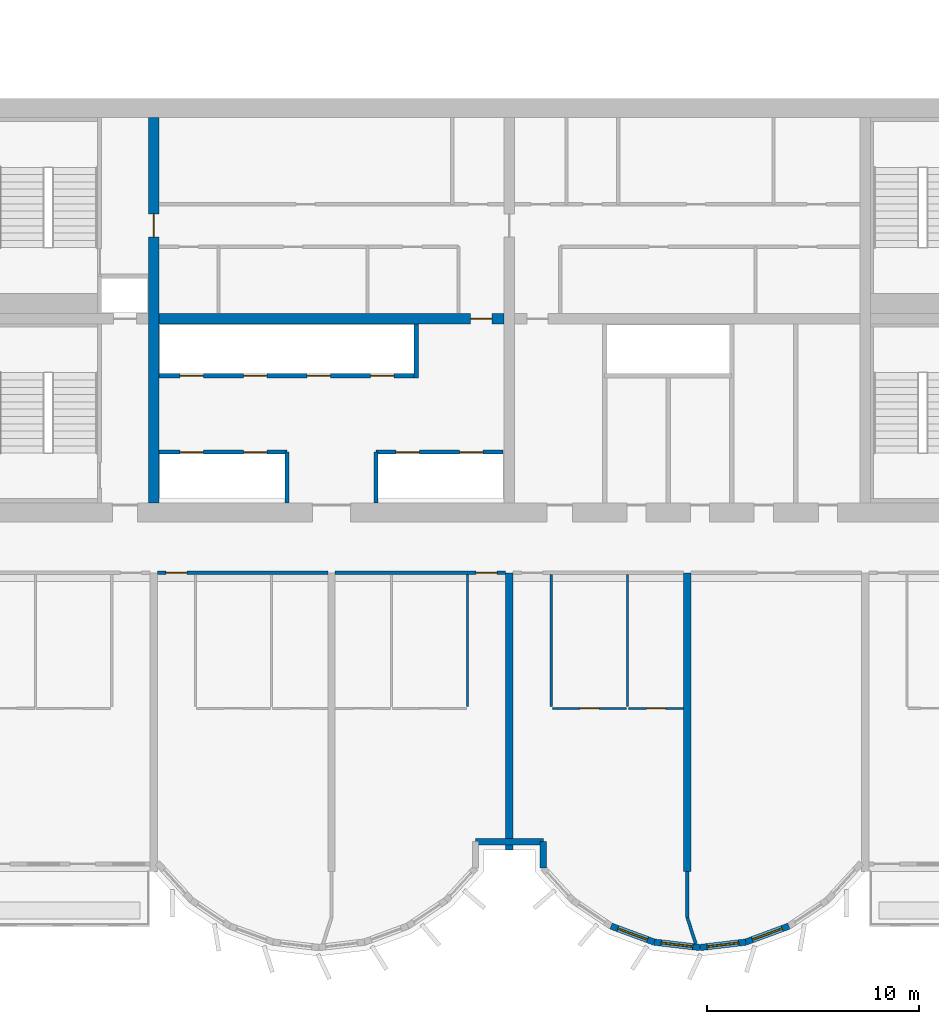
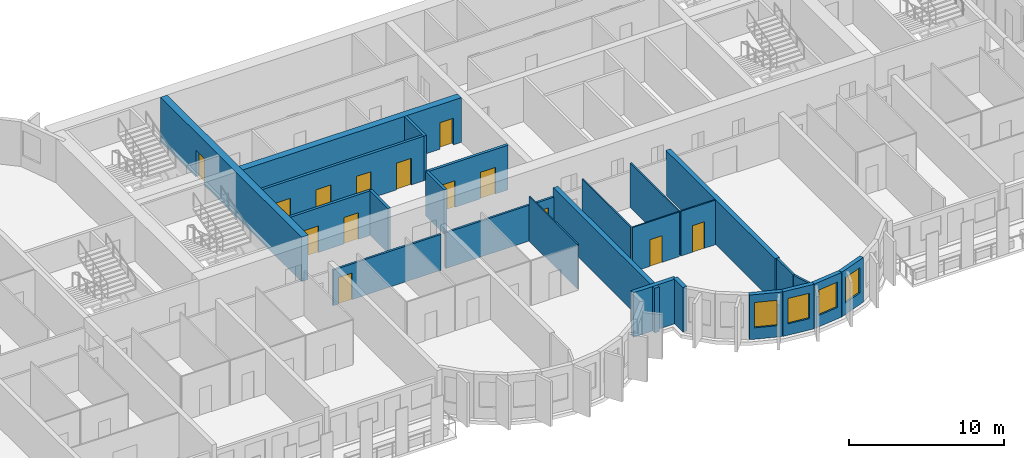
# One storey, part 5 of 14: 25 walls, 14 doors, 4 windows, 18 openings.
"""IFC4 building model written with IfcOpenShell, lengths in metres."""

from ifc_helpers import new_model, si_unit, direction, frame, frame_2d, origin, place, context, subcontext, project, spatial, rectangle, extrude, source, transform, mapped, material, layer, layer_set, type_object, element, fill, save


model = new_model("IFC4")

# Units and contexts
model_context = context("Model", 3, precision=1e-05, world=origin(), true_north=direction((0.0, 1.0)))
body_context = subcontext(model_context, "Body", "Model", "MODEL_VIEW")
ifc_project = project(units=[si_unit("LENGTHUNIT", "METRE"), si_unit("AREAUNIT", "SQUARE_METRE"), si_unit("VOLUMEUNIT", "CUBIC_METRE"), si_unit("PLANEANGLEUNIT", "RADIAN"), si_unit("MASSUNIT", "GRAM", prefix="KILO")], contexts=[model_context])

# Site, building, storey
site_placement = place(None, origin())
site = spatial("IfcSite", under=ifc_project, at=site_placement, CompositionType="ELEMENT")
building_placement = place(site_placement, origin())
building = spatial("IfcBuilding", under=site, at=building_placement, Name="Vanashikhar Sky Hotel", CompositionType="ELEMENT")
storey_placement = place(building_placement, frame((0.0, 0.0, 114.199951171875)))
storey = spatial("IfcBuildingStorey", under=building, at=storey_placement, Name="L27", CompositionType="ELEMENT", Elevation=114.199951171875)

# Wall, opening, door
ifc_material_1 = material(Name="Concrete M70", Category="concrete")
ifc_layer_1 = layer(ifc_material_1, 0.5)
ifc_layer_set_1 = layer_set([ifc_layer_1], Name="RC core inner wall 500 Concrete M70")
wall_type_1 = type_object("IfcWallType", Name="RC core inner wall 500 Concrete M70", PredefinedType="SHEAR", material=ifc_layer_set_1)
shared_shape_1 = source(origin(), body_context, "Body", "SweptSolid", [
    extrude(rectangle(XDim=18.2001953125, YDim=0.5, at=frame_2d((9.10009765625, 0.0))), origin(), (0.0, 0.0, 1.0), 3.52001953125),
])
wall_1_placement = place(storey_placement, frame((33.60009765625, 22.89990234375, 0.0), z_axis=(0.0, 0.0, 1.0), x_axis=(0.0, 1.0, 0.0)))
wall_1 = element("IfcWall", 1, at=wall_1_placement, inside=storey, type_object=wall_type_1, Name="KW-L27-KX1", PredefinedType="SHEAR", context=body_context, shape_type="MappedRepresentation", body=[
    mapped(shared_shape_1, transform((0.0, 0.0, 0.0), scale=1.0)),
])
shared_shape_2 = source(origin(), body_context, "Body", "SweptSolid", [
    extrude(rectangle(XDim=1.10009765625, YDim=2.10009765625, at=frame_2d((0.550048828125, 1.050048828125))), frame((0.0, 0.260009765625, 0.0), z_axis=(0.0, -1.0, 0.0), x_axis=(1.0, 0.0, 0.0)), (0.0, 0.0, 1.0), 0.52001953125),
])
opening_1_placement = place(wall_1_placement, frame((12.550048828125, 0.0, 0.0)))
opening_1 = element("IfcOpeningElement", 2, at=opening_1_placement, cuts=wall_1, Name="Opening DC-4-C", PredefinedType="OPENING", context=body_context, shape_type="MappedRepresentation", body=[
    mapped(shared_shape_2, transform((0.0, 0.0, 0.0), scale=1.0)),
])
ifc_material_2 = material(Name="Steel", Category="steel")
door_type_1 = type_object("IfcDoorType", Name="Service door 1100 FD60", OperationType="NOTDEFINED", PredefinedType="DOOR", material=ifc_material_2)
shared_shape_3 = source(origin(), body_context, "Body", "SweptSolid", [
    extrude(rectangle(XDim=1.10009765625, YDim=2.10009765625, at=frame_2d((0.550048828125, 1.050048828125))), frame((0.0, 0.02490234375, 0.0), z_axis=(0.0, -1.0, 0.0), x_axis=(1.0, 0.0, 0.0)), (0.0, 0.0, 1.0), 0.050048828125),
])
door_1_placement = place(opening_1_placement, origin())
door_1 = element("IfcDoor", 3, at=door_1_placement, inside=storey, type_object=door_type_1, Name="Service door 1100 FD60", OperationType="SINGLE_SWING_LEFT", OverallHeight=2.10009765625, OverallWidth=1.10009765625, PredefinedType="DOOR", context=body_context, shape_type="MappedRepresentation", body=[
    mapped(shared_shape_3, transform((0.0, 0.0, 0.0), scale=1.0)),
])
fill(opening_1, door_1)

shared_shape_4 = source(origin(), body_context, "Body", "SweptSolid", [
    extrude(rectangle(XDim=16.2998046875, YDim=0.5, at=frame_2d((8.14990234375, 0.0))), origin(), (0.0, 0.0, 1.0), 3.52001953125),
])
wall_2_placement = place(storey_placement, frame((33.85009765625, 31.60009765625, 0.0), z_axis=(0.0, 0.0, 1.0), x_axis=(1.0, 0.0, 0.0)))
wall_2 = element("IfcWall", 4, at=wall_2_placement, inside=storey, type_object=wall_type_1, Name="KW-L27-KY2", PredefinedType="SHEAR", context=body_context, shape_type="MappedRepresentation", body=[
    mapped(shared_shape_4, transform((0.0, 0.0, 0.0), scale=1.0)),
])
shared_shape_5 = source(origin(), body_context, "Body", "SweptSolid", [
    extrude(rectangle(XDim=1.0, YDim=2.10009765625, at=frame_2d((0.5, 1.050048828125))), frame((0.0, 0.260009765625, 0.0), z_axis=(0.0, -1.0, 0.0), x_axis=(1.0, 0.0, 0.0)), (0.0, 0.0, 1.0), 0.52001953125),
])
opening_2_placement = place(wall_2_placement, frame((14.72509765625, 0.0, 0.0)))
opening_2 = element("IfcOpeningElement", 5, at=opening_2_placement, cuts=wall_2, Name="Opening DC-4", PredefinedType="OPENING", context=body_context, shape_type="MappedRepresentation", body=[
    mapped(shared_shape_5, transform((0.0, 0.0, 0.0), scale=1.0)),
])
door_type_2 = type_object("IfcDoorType", Name="Service door 1000 FD60", OperationType="NOTDEFINED", PredefinedType="DOOR", material=ifc_material_2)
shared_shape_6 = source(origin(), body_context, "Body", "SweptSolid", [
    extrude(rectangle(XDim=1.0, YDim=2.10009765625, at=frame_2d((0.5, 1.050048828125))), frame((0.0, 0.02490234375, 0.0), z_axis=(0.0, -1.0, 0.0), x_axis=(1.0, 0.0, 0.0)), (0.0, 0.0, 1.0), 0.050048828125),
])
door_2_placement = place(opening_2_placement, origin())
door_2 = element("IfcDoor", 6, at=door_2_placement, inside=storey, type_object=door_type_2, Name="Service door 1000 FD60", OperationType="SINGLE_SWING_LEFT", OverallHeight=2.10009765625, OverallWidth=1.0, PredefinedType="DOOR", context=body_context, shape_type="MappedRepresentation", body=[
    mapped(shared_shape_6, transform((0.0, 0.0, 0.0), scale=1.0)),
])
fill(opening_2, door_2)

# Walls
ifc_layer_2 = layer(ifc_material_1, 0.35009765625)
ifc_layer_set_2 = layer_set([ifc_layer_2], Name="RC shear wall 350 Concrete M70")
wall_type_2 = type_object("IfcWallType", Name="RC shear wall 350 Concrete M70", PredefinedType="SHEAR", material=ifc_layer_set_2)
shared_shape_7 = source(origin(), body_context, "Body", "SweptSolid", [
    extrude(rectangle(XDim=14.10009765625, YDim=0.35009765625, at=frame_2d((7.050048828125, 0.0))), origin(), (0.0, 0.0, 1.0), 3.52001953125),
])
wall_3_placement = place(storey_placement, frame((58.800048828125, 5.5, 0.0), z_axis=(0.0, 0.0, 1.0), x_axis=(0.0, 1.0, 0.0)))
element("IfcWall", 7, at=wall_3_placement, inside=storey, type_object=wall_type_2, Name="CW-L27-XW08-1", PredefinedType="SHEAR", context=body_context, shape_type="MappedRepresentation", body=[
    mapped(shared_shape_7, transform((0.0, 0.0, 0.0), scale=1.0)),
])
shared_shape_8 = source(origin(), body_context, "Body", "SweptSolid", [
    extrude(rectangle(XDim=13.10009765625, YDim=0.35009765625, at=frame_2d((6.550048828125, 0.0))), origin(), (0.0, 0.0, 1.0), 3.52001953125),
])
wall_4_placement = place(storey_placement, frame((50.39990234375, 6.5, 0.0), z_axis=(0.0, 0.0, 1.0), x_axis=(0.0, 1.0, 0.0)))
element("IfcWall", 8, at=wall_4_placement, inside=storey, type_object=wall_type_2, Name="CW-L27-XW07-1", PredefinedType="SHEAR", context=body_context, shape_type="MappedRepresentation", body=[
    mapped(shared_shape_8, transform((0.0, 0.0, 0.0), scale=1.0)),
])

# Wall, opening, window
ifc_material_3 = material(Name="Concrete M50", Category="concrete")
ifc_layer_3 = layer(ifc_material_3, 0.300048828125)
ifc_layer_set_3 = layer_set([ifc_layer_3], Name="Lobe wall 300")
wall_type_3 = type_object("IfcWallType", Name="Lobe wall 300", PredefinedType="SOLIDWALL", material=ifc_layer_set_3)
shared_shape_9 = source(origin(), body_context, "Body", "SweptSolid", [
    extrude(rectangle(XDim=2.17578125, YDim=0.300048828125, at=frame_2d((1.087890625, 0.0))), origin(), (0.0, 0.0, 1.0), 3.52001953125),
])
wall_5_placement = place(storey_placement, frame((55.20068359375, 2.91650390625, 0.0), z_axis=(0.0, 0.0, 1.0), x_axis=(0.93754555999, -0.347862505801, 0.0)))
wall_5 = element("IfcWall", 9, at=wall_5_placement, inside=storey, type_object=wall_type_3, Name="Lobe wall", PredefinedType="SOLIDWALL", context=body_context, shape_type="MappedRepresentation", body=[
    mapped(shared_shape_9, transform((0.0, 0.0, 0.0), scale=1.0)),
])
shared_shape_10 = source(origin(), body_context, "Body", "SweptSolid", [
    extrude(rectangle(XDim=1.5, YDim=2.0, at=frame_2d((0.75, 1.0))), frame((0.0, 0.16015625, 0.0), z_axis=(0.0, -1.0, 0.0), x_axis=(1.0, 0.0, 0.0)), (0.0, 0.0, 1.0), 0.320068359375),
])
opening_3_placement = place(wall_5_placement, frame((0.337890625, 0.0, 0.89990234375)))
opening_3 = element("IfcOpeningElement", 10, at=opening_3_placement, cuts=wall_5, Name="Opening WN-2", PredefinedType="OPENING", context=body_context, shape_type="MappedRepresentation", body=[
    mapped(shared_shape_10, transform((0.0, 0.0, 0.0), scale=1.0)),
])
ifc_material_4 = material(Name="Glass", Category="glass")
window_type = type_object("IfcWindowType", Name="Lobe window 1500 x 2000", PartitioningType="SINGLE_PANEL", PredefinedType="WINDOW", material=ifc_material_4)
shared_shape_11 = source(origin(), body_context, "Body", "SweptSolid", [
    extrude(rectangle(XDim=1.5, YDim=2.0, at=frame_2d((0.75, 1.0))), frame((0.0, 0.030029296875, 0.0), z_axis=(0.0, -1.0, 0.0), x_axis=(1.0, 0.0, 0.0)), (0.0, 0.0, 1.0), 0.06005859375),
])
window_1_placement = place(opening_3_placement, origin())
window_1 = element("IfcWindow", 11, at=window_1_placement, inside=storey, type_object=window_type, Name="Window WN-2", OverallHeight=2.0, OverallWidth=1.5, PartitioningType="SINGLE_PANEL", PredefinedType="WINDOW", context=body_context, shape_type="MappedRepresentation", body=[
    mapped(shared_shape_11, transform((0.0, 0.0, 0.0), scale=1.0)),
])
fill(opening_3, window_1)

shared_shape_12 = source(origin(), body_context, "Body", "SweptSolid", [
    extrude(rectangle(XDim=2.174560546875, YDim=0.300048828125, at=frame_2d((1.08740234375, 0.0))), origin(), (0.0, 0.0, 1.0), 3.52001953125),
])
wall_6_placement = place(storey_placement, frame((57.240478515625, 2.15966796875, 0.0), z_axis=(0.0, 0.0, 1.0), x_axis=(0.993001132889, -0.118104826659, 0.0)))
wall_6 = element("IfcWall", 12, at=wall_6_placement, inside=storey, type_object=wall_type_3, Name="Lobe wall", PredefinedType="SOLIDWALL", context=body_context, shape_type="MappedRepresentation", body=[
    mapped(shared_shape_12, transform((0.0, 0.0, 0.0), scale=1.0)),
])
opening_4_placement = place(wall_6_placement, frame((0.33740234375, 0.0, 0.89990234375)))
opening_4 = element("IfcOpeningElement", 13, at=opening_4_placement, cuts=wall_6, Name="Opening WN-2", PredefinedType="OPENING", context=body_context, shape_type="MappedRepresentation", body=[
    mapped(shared_shape_10, transform((0.0, 0.0, 0.0), scale=1.0)),
])
window_2_placement = place(opening_4_placement, origin())
window_2 = element("IfcWindow", 14, at=window_2_placement, inside=storey, type_object=window_type, Name="Window WN-2", OverallHeight=2.0, OverallWidth=1.5, PartitioningType="SINGLE_PANEL", PredefinedType="WINDOW", context=body_context, shape_type="MappedRepresentation", body=[
    mapped(shared_shape_11, transform((0.0, 0.0, 0.0), scale=1.0)),
])
fill(opening_4, window_2)

shared_shape_13 = source(origin(), body_context, "Body", "SweptSolid", [
    extrude(rectangle(XDim=2.1748046875, YDim=0.300048828125, at=frame_2d((1.08740234375, 0.0))), origin(), (0.0, 0.0, 1.0), 3.52001953125),
])
wall_7_placement = place(storey_placement, frame((59.39990234375, 1.90283203125, 0.0), z_axis=(0.0, 0.0, 1.0), x_axis=(0.993002698611, 0.118091661648, 0.0)))
wall_7 = element("IfcWall", 15, at=wall_7_placement, inside=storey, type_object=wall_type_3, Name="Lobe wall", PredefinedType="SOLIDWALL", context=body_context, shape_type="MappedRepresentation", body=[
    mapped(shared_shape_13, transform((0.0, 0.0, 0.0), scale=1.0)),
])
opening_5_placement = place(wall_7_placement, frame((0.33740234375, 0.0, 0.89990234375)))
opening_5 = element("IfcOpeningElement", 16, at=opening_5_placement, cuts=wall_7, Name="Opening WN-2", PredefinedType="OPENING", context=body_context, shape_type="MappedRepresentation", body=[
    mapped(shared_shape_10, transform((0.0, 0.0, 0.0), scale=1.0)),
])
window_3_placement = place(opening_5_placement, origin())
window_3 = element("IfcWindow", 17, at=window_3_placement, inside=storey, type_object=window_type, Name="Window WN-2", OverallHeight=2.0, OverallWidth=1.5, PartitioningType="SINGLE_PANEL", PredefinedType="WINDOW", context=body_context, shape_type="MappedRepresentation", body=[
    mapped(shared_shape_11, transform((0.0, 0.0, 0.0), scale=1.0)),
])
fill(opening_5, window_3)

shared_shape_14 = source(origin(), body_context, "Body", "SweptSolid", [
    extrude(rectangle(XDim=2.175537109375, YDim=0.300048828125, at=frame_2d((1.087890625, 0.0))), origin(), (0.0, 0.0, 1.0), 3.52001953125),
])
wall_8_placement = place(storey_placement, frame((61.5595703125, 2.15966796875, 0.0), z_axis=(0.0, 0.0, 1.0), x_axis=(0.937531979054, 0.347899106424, 0.0)))
wall_8 = element("IfcWall", 18, at=wall_8_placement, inside=storey, type_object=wall_type_3, Name="Lobe wall", PredefinedType="SOLIDWALL", context=body_context, shape_type="MappedRepresentation", body=[
    mapped(shared_shape_14, transform((0.0, 0.0, 0.0), scale=1.0)),
])
opening_6_placement = place(wall_8_placement, frame((0.337890625, 0.0, 0.89990234375)))
opening_6 = element("IfcOpeningElement", 19, at=opening_6_placement, cuts=wall_8, Name="Opening WN-2", PredefinedType="OPENING", context=body_context, shape_type="MappedRepresentation", body=[
    mapped(shared_shape_10, transform((0.0, 0.0, 0.0), scale=1.0)),
])
window_4_placement = place(opening_6_placement, origin())
window_4 = element("IfcWindow", 20, at=window_4_placement, inside=storey, type_object=window_type, Name="Window WN-2", OverallHeight=2.0, OverallWidth=1.5, PartitioningType="SINGLE_PANEL", PredefinedType="WINDOW", context=body_context, shape_type="MappedRepresentation", body=[
    mapped(shared_shape_11, transform((0.0, 0.0, 0.0), scale=1.0)),
])
fill(opening_6, window_4)

# Walls
shared_shape_15 = source(origin(), body_context, "Body", "SweptSolid", [
    extrude(rectangle(XDim=1.244384765625, YDim=0.300048828125, at=frame_2d((0.6220703125, 0.0))), origin(), (0.0, 0.0, 1.0), 3.52001953125),
])
wall_9_placement = place(storey_placement, frame((52.0, 6.89990234375, 0.0), z_axis=(0.0, 0.0, 1.0), x_axis=(0.0, -1.0, 0.0)))
element("IfcWall", 21, at=wall_9_placement, inside=storey, type_object=wall_type_3, Name="Groove wall", PredefinedType="SOLIDWALL", context=body_context, shape_type="MappedRepresentation", body=[
    mapped(shared_shape_15, transform((0.0, 0.0, 0.0), scale=1.0)),
])
shared_shape_16 = source(origin(), body_context, "Body", "SweptSolid", [
    extrude(rectangle(XDim=3.199951171875, YDim=0.300048828125, at=frame_2d((1.60009765625, 0.0))), origin(), (0.0, 0.0, 1.0), 3.52001953125),
])
wall_10_placement = place(storey_placement, frame((48.800048828125, 6.89990234375, 0.0), z_axis=(0.0, 0.0, 1.0), x_axis=(1.0, 0.0, 0.0)))
element("IfcWall", 22, at=wall_10_placement, inside=storey, type_object=wall_type_3, Name="Groove wall", PredefinedType="SOLIDWALL", context=body_context, shape_type="MappedRepresentation", body=[
    mapped(shared_shape_16, transform((0.0, 0.0, 0.0), scale=1.0)),
])

# Wall, openings, doors
ifc_material_5 = material(Name="Concrete M40", Category="concrete")
ifc_layer_4 = layer(ifc_material_5, 0.199951171875)
ifc_layer_set_4 = layer_set([ifc_layer_4], Name="Shaft wall 200")
wall_type_4 = type_object("IfcWallType", Name="Shaft wall 200", PredefinedType="SOLIDWALL", material=ifc_layer_set_4)
shared_shape_17 = source(origin(), body_context, "Body", "SweptSolid", [
    extrude(rectangle(XDim=6.0, YDim=0.199951171875, at=frame_2d((3.0, 0.0))), origin(), (0.0, 0.0, 1.0), 3.52001953125),
])
wall_11_placement = place(storey_placement, frame((44.10009765625, 25.300048828125, 0.0), z_axis=(0.0, 0.0, 1.0), x_axis=(1.0, 0.0, 0.0)))
wall_11 = element("IfcWall", 23, at=wall_11_placement, inside=storey, type_object=wall_type_4, Name="Shaft wall 200", PredefinedType="SOLIDWALL", context=body_context, shape_type="MappedRepresentation", body=[
    mapped(shared_shape_17, transform((0.0, 0.0, 0.0), scale=1.0)),
])
shared_shape_18 = source(origin(), body_context, "Body", "SweptSolid", [
    extrude(rectangle(XDim=1.10009765625, YDim=2.10009765625, at=frame_2d((0.550048828125, 1.050048828125))), frame((0.0, 0.10986328125, 0.0), z_axis=(0.0, -1.0, 0.0), x_axis=(1.0, 0.0, 0.0)), (0.0, 0.0, 1.0), 0.219970703125),
])
opening_7_placement = place(wall_11_placement, frame((0.949951171875, 0.0, 0.0)))
opening_7 = element("IfcOpeningElement", 24, at=opening_7_placement, cuts=wall_11, Name="Opening LD", PredefinedType="OPENING", context=body_context, shape_type="MappedRepresentation", body=[
    mapped(shared_shape_18, transform((0.0, 0.0, 0.0), scale=1.0)),
])
opening_8_placement = place(wall_11_placement, frame((3.949951171875, 0.0, 0.0)))
opening_8 = element("IfcOpeningElement", 25, at=opening_8_placement, cuts=wall_11, Name="Opening LD", PredefinedType="OPENING", context=body_context, shape_type="MappedRepresentation", body=[
    mapped(shared_shape_18, transform((0.0, 0.0, 0.0), scale=1.0)),
])
ifc_material_6 = material(Name="Stainless steel", Category="steel")
door_type_3 = type_object("IfcDoorType", Name="Lift landing door 1100", OperationType="NOTDEFINED", PredefinedType="DOOR", material=ifc_material_6)
door_3_placement = place(opening_7_placement, origin())
door_3 = element("IfcDoor", 26, at=door_3_placement, inside=storey, type_object=door_type_3, Name="Lift landing door 1100", OperationType="SLIDING_TO_LEFT", OverallHeight=2.10009765625, OverallWidth=1.10009765625, PredefinedType="DOOR", context=body_context, shape_type="MappedRepresentation", body=[
    mapped(shared_shape_3, transform((0.0, 0.0, 0.0), scale=1.0)),
])
fill(opening_7, door_3)
door_4_placement = place(opening_8_placement, origin())
door_4 = element("IfcDoor", 27, at=door_4_placement, inside=storey, type_object=door_type_3, Name="Lift landing door 1100", OperationType="SLIDING_TO_RIGHT", OverallHeight=2.10009765625, OverallWidth=1.10009765625, PredefinedType="DOOR", context=body_context, shape_type="MappedRepresentation", body=[
    mapped(shared_shape_3, transform((0.0, 0.0, 0.0), scale=1.0)),
])
fill(opening_8, door_4)

shared_shape_19 = source(origin(), body_context, "Body", "SweptSolid", [
    extrude(rectangle(XDim=6.0498046875, YDim=0.199951171875, at=frame_2d((3.02490234375, 0.0))), origin(), (0.0, 0.0, 1.0), 3.52001953125),
])
wall_12_placement = place(storey_placement, frame((33.85009765625, 25.300048828125, 0.0), z_axis=(0.0, 0.0, 1.0), x_axis=(1.0, 0.0, 0.0)))
wall_12 = element("IfcWall", 28, at=wall_12_placement, inside=storey, type_object=wall_type_4, Name="Shaft wall 200", PredefinedType="SOLIDWALL", context=body_context, shape_type="MappedRepresentation", body=[
    mapped(shared_shape_19, transform((0.0, 0.0, 0.0), scale=1.0)),
])
opening_9_placement = place(wall_12_placement, frame((1.0, 0.0, 0.0)))
opening_9 = element("IfcOpeningElement", 29, at=opening_9_placement, cuts=wall_12, Name="Opening LD", PredefinedType="OPENING", context=body_context, shape_type="MappedRepresentation", body=[
    mapped(shared_shape_18, transform((0.0, 0.0, 0.0), scale=1.0)),
])
opening_10_placement = place(wall_12_placement, frame((4.0, 0.0, 0.0)))
opening_10 = element("IfcOpeningElement", 30, at=opening_10_placement, cuts=wall_12, Name="Opening LD", PredefinedType="OPENING", context=body_context, shape_type="MappedRepresentation", body=[
    mapped(shared_shape_18, transform((0.0, 0.0, 0.0), scale=1.0)),
])
door_5_placement = place(opening_9_placement, origin())
door_5 = element("IfcDoor", 31, at=door_5_placement, inside=storey, type_object=door_type_3, Name="Lift landing door 1100", OperationType="SLIDING_TO_LEFT", OverallHeight=2.10009765625, OverallWidth=1.10009765625, PredefinedType="DOOR", context=body_context, shape_type="MappedRepresentation", body=[
    mapped(shared_shape_3, transform((0.0, 0.0, 0.0), scale=1.0)),
])
fill(opening_9, door_5)
door_6_placement = place(opening_10_placement, origin())
door_6 = element("IfcDoor", 32, at=door_6_placement, inside=storey, type_object=door_type_3, Name="Lift landing door 1100", OperationType="SLIDING_TO_RIGHT", OverallHeight=2.10009765625, OverallWidth=1.10009765625, PredefinedType="DOOR", context=body_context, shape_type="MappedRepresentation", body=[
    mapped(shared_shape_3, transform((0.0, 0.0, 0.0), scale=1.0)),
])
fill(opening_10, door_6)

shared_shape_20 = source(origin(), body_context, "Body", "SweptSolid", [
    extrude(rectangle(XDim=12.0498046875, YDim=0.199951171875, at=frame_2d((6.02490234375, 0.0))), origin(), (0.0, 0.0, 1.0), 3.52001953125),
])
wall_13_placement = place(storey_placement, frame((33.85009765625, 28.89990234375, 0.0), z_axis=(0.0, 0.0, 1.0), x_axis=(1.0, 0.0, 0.0)))
wall_13 = element("IfcWall", 33, at=wall_13_placement, inside=storey, type_object=wall_type_4, Name="Shaft wall 200", PredefinedType="SOLIDWALL", context=body_context, shape_type="MappedRepresentation", body=[
    mapped(shared_shape_20, transform((0.0, 0.0, 0.0), scale=1.0)),
])
opening_11_placement = place(wall_13_placement, frame((1.0, 0.0, 0.0)))
opening_11 = element("IfcOpeningElement", 34, at=opening_11_placement, cuts=wall_13, Name="Opening LD", PredefinedType="OPENING", context=body_context, shape_type="MappedRepresentation", body=[
    mapped(shared_shape_18, transform((0.0, 0.0, 0.0), scale=1.0)),
])
opening_12_placement = place(wall_13_placement, frame((4.0, 0.0, 0.0)))
opening_12 = element("IfcOpeningElement", 35, at=opening_12_placement, cuts=wall_13, Name="Opening LD", PredefinedType="OPENING", context=body_context, shape_type="MappedRepresentation", body=[
    mapped(shared_shape_18, transform((0.0, 0.0, 0.0), scale=1.0)),
])
opening_13_placement = place(wall_13_placement, frame((7.0, 0.0, 0.0)))
opening_13 = element("IfcOpeningElement", 36, at=opening_13_placement, cuts=wall_13, Name="Opening LD", PredefinedType="OPENING", context=body_context, shape_type="MappedRepresentation", body=[
    mapped(shared_shape_18, transform((0.0, 0.0, 0.0), scale=1.0)),
])
opening_14_placement = place(wall_13_placement, frame((10.0, 0.0, 0.0)))
opening_14 = element("IfcOpeningElement", 37, at=opening_14_placement, cuts=wall_13, Name="Opening LD", PredefinedType="OPENING", context=body_context, shape_type="MappedRepresentation", body=[
    mapped(shared_shape_18, transform((0.0, 0.0, 0.0), scale=1.0)),
])
door_7_placement = place(opening_11_placement, origin())
door_7 = element("IfcDoor", 38, at=door_7_placement, inside=storey, type_object=door_type_3, Name="Lift landing door 1100", OperationType="SLIDING_TO_LEFT", OverallHeight=2.10009765625, OverallWidth=1.10009765625, PredefinedType="DOOR", context=body_context, shape_type="MappedRepresentation", body=[
    mapped(shared_shape_3, transform((0.0, 0.0, 0.0), scale=1.0)),
])
fill(opening_11, door_7)
door_8_placement = place(opening_12_placement, origin())
door_8 = element("IfcDoor", 39, at=door_8_placement, inside=storey, type_object=door_type_3, Name="Lift landing door 1100", OperationType="SLIDING_TO_RIGHT", OverallHeight=2.10009765625, OverallWidth=1.10009765625, PredefinedType="DOOR", context=body_context, shape_type="MappedRepresentation", body=[
    mapped(shared_shape_3, transform((0.0, 0.0, 0.0), scale=1.0)),
])
fill(opening_12, door_8)
door_9_placement = place(opening_13_placement, origin())
door_9 = element("IfcDoor", 40, at=door_9_placement, inside=storey, type_object=door_type_3, Name="Lift landing door 1100", OperationType="SLIDING_TO_LEFT", OverallHeight=2.10009765625, OverallWidth=1.10009765625, PredefinedType="DOOR", context=body_context, shape_type="MappedRepresentation", body=[
    mapped(shared_shape_3, transform((0.0, 0.0, 0.0), scale=1.0)),
])
fill(opening_13, door_9)
door_10_placement = place(opening_14_placement, origin())
door_10 = element("IfcDoor", 41, at=door_10_placement, inside=storey, type_object=door_type_3, Name="Lift landing door 1100", OperationType="SLIDING_TO_RIGHT", OverallHeight=2.10009765625, OverallWidth=1.10009765625, PredefinedType="DOOR", context=body_context, shape_type="MappedRepresentation", body=[
    mapped(shared_shape_3, transform((0.0, 0.0, 0.0), scale=1.0)),
])
fill(opening_14, door_10)

# Walls
shared_shape_21 = source(origin(), body_context, "Body", "SweptSolid", [
    extrude(rectangle(XDim=2.400146484375, YDim=0.199951171875, at=frame_2d((1.2001953125, 0.0))), origin(), (0.0, 0.0, 1.0), 3.52001953125),
])
for number, where, z_axis, x_axis, name in (
    (42, (39.89990234375, 22.89990234375, 0.0), (0.0, 0.0, 1.0), (0.0, 1.0, 0.0), "Shaft wall 200"),
    (43, (44.10009765625, 22.89990234375, 0.0), (0.0, 0.0, 1.0), (0.0, 1.0, 0.0), "Shaft wall 200"),
):
    element("IfcWall", number, at=place(storey_placement, frame(where, z_axis=z_axis, x_axis=x_axis)), inside=storey, type_object=wall_type_4, Name=name, PredefinedType="SOLIDWALL", context=body_context, shape_type="MappedRepresentation", body=[
        mapped(shared_shape_21, transform((0.0, 0.0, 0.0), scale=1.0)),
    ])
shared_shape_22 = source(origin(), body_context, "Body", "SweptSolid", [
    extrude(rectangle(XDim=2.550048828125, YDim=0.199951171875, at=frame_2d((1.27490234375, 0.0))), origin(), (0.0, 0.0, 1.0), 3.52001953125),
])
wall_14_placement = place(storey_placement, frame((46.0, 28.800048828125, 0.0), z_axis=(0.0, 0.0, 1.0), x_axis=(0.0, 1.0, 0.0)))
element("IfcWall", 44, at=wall_14_placement, inside=storey, type_object=wall_type_4, Name="Shaft wall 200", PredefinedType="SOLIDWALL", context=body_context, shape_type="MappedRepresentation", body=[
    mapped(shared_shape_22, transform((0.0, 0.0, 0.0), scale=1.0)),
])
ifc_material_7 = material(Name="Gypsum plasterboard partition")
ifc_layer_5 = layer(ifc_material_7, 0.14990234375)
ifc_layer_set_5 = layer_set([ifc_layer_5], Name="Corridor and demising partition 150")
wall_type_5 = type_object("IfcWallType", Name="Corridor and demising partition 150", PredefinedType="PARTITIONING", material=ifc_layer_set_5)
shared_shape_23 = source(origin(), body_context, "Body", "SweptSolid", [
    extrude(rectangle(XDim=2.177978515625, YDim=0.14990234375, at=frame_2d((1.0888671875, 0.0))), origin(), (0.0, 0.0, 1.0), 3.52001953125),
])
wall_15_placement = place(storey_placement, frame((58.800048828125, 3.322021484375, 0.0), z_axis=(0.0, 0.0, 1.0), x_axis=(0.0, 1.0, 0.0)))
element("IfcWall", 45, at=wall_15_placement, inside=storey, type_object=wall_type_5, Name="W-L27-PW058", PredefinedType="PARTITIONING", context=body_context, shape_type="MappedRepresentation", body=[
    mapped(shared_shape_23, transform((0.0, 0.0, 0.0), scale=1.0)),
])

# Wall, opening, door
ifc_layer_6 = layer(ifc_material_7, 0.10009765625)
ifc_layer_set_6 = layer_set([ifc_layer_6], Name="Wet room partition 100")
wall_type_6 = type_object("IfcWallType", Name="Wet room partition 100", PredefinedType="PARTITIONING", material=ifc_layer_set_6)
shared_shape_24 = source(origin(), body_context, "Body", "SweptSolid", [
    extrude(rectangle(XDim=3.5, YDim=0.10009765625, at=frame_2d((1.75, 0.0))), origin(), (0.0, 0.0, 1.0), 3.52001953125),
])
wall_16_placement = place(storey_placement, frame((52.425048828125, 13.199951171875, 0.0), z_axis=(0.0, 0.0, 1.0), x_axis=(1.0, 0.0, 0.0)))
wall_16 = element("IfcWall", 46, at=wall_16_placement, inside=storey, type_object=wall_type_6, Name="W-L27-PW030", PredefinedType="PARTITIONING", context=body_context, shape_type="MappedRepresentation", body=[
    mapped(shared_shape_24, transform((0.0, 0.0, 0.0), scale=1.0)),
])
shared_shape_25 = source(origin(), body_context, "Body", "SweptSolid", [
    extrude(rectangle(XDim=0.89990234375, YDim=2.10009765625, at=frame_2d((0.449951171875, 1.050048828125))), frame((0.0, 0.06005859375, 0.0), z_axis=(0.0, -1.0, 0.0), x_axis=(1.0, 0.0, 0.0)), (0.0, 0.0, 1.0), 0.1201171875),
])
opening_15_placement = place(wall_16_placement, frame((1.300048828125, 0.0, 0.0)))
opening_15 = element("IfcOpeningElement", 47, at=opening_15_placement, cuts=wall_16, Name="Opening D-02", PredefinedType="OPENING", context=body_context, shape_type="MappedRepresentation", body=[
    mapped(shared_shape_25, transform((0.0, 0.0, 0.0), scale=1.0)),
])
ifc_material_8 = material(Name="Timber door", Category="wood")
door_type_4 = type_object("IfcDoorType", Name="Internal door 900", OperationType="NOTDEFINED", PredefinedType="DOOR", material=ifc_material_8)
shared_shape_26 = source(origin(), body_context, "Body", "SweptSolid", [
    extrude(rectangle(XDim=0.89990234375, YDim=2.10009765625, at=frame_2d((0.449951171875, 1.050048828125))), frame((0.0, 0.02490234375, 0.0), z_axis=(0.0, -1.0, 0.0), x_axis=(1.0, 0.0, 0.0)), (0.0, 0.0, 1.0), 0.050048828125),
])
door_11_placement = place(opening_15_placement, origin())
door_11 = element("IfcDoor", 48, at=door_11_placement, inside=storey, type_object=door_type_4, Name="D-L27-018", OperationType="SINGLE_SWING_LEFT", OverallHeight=2.10009765625, OverallWidth=0.89990234375, PredefinedType="DOOR", context=body_context, shape_type="MappedRepresentation", body=[
    mapped(shared_shape_26, transform((0.0, 0.0, 0.0), scale=1.0)),
])
fill(opening_15, door_11)

# Walls
shared_shape_27 = source(origin(), body_context, "Body", "SweptSolid", [
    extrude(rectangle(XDim=1.308349609375, YDim=0.14990234375, at=frame_2d((0.654296875, 0.0))), origin(), (0.0, 0.0, 1.0), 3.52001953125),
])
wall_17_placement = place(storey_placement, frame((59.201904296875, 2.076904296875, 0.0), z_axis=(0.0, 0.0, 1.0), x_axis=(-0.307144529633, 0.951662880392, 0.0)))
element("IfcWall", 49, at=wall_17_placement, inside=storey, type_object=wall_type_5, Name="W-L27-PW058B0", PredefinedType="PARTITIONING", context=body_context, shape_type="MappedRepresentation", body=[
    mapped(shared_shape_27, transform((0.0, 0.0, 0.0), scale=1.0)),
])
shared_shape_28 = source(origin(), body_context, "Body", "SweptSolid", [
    extrude(rectangle(XDim=6.25, YDim=0.10009765625, at=frame_2d((3.125, 0.0))), origin(), (0.0, 0.0, 1.0), 3.52001953125),
])
for number, where, z_axis, x_axis, name in (
    (50, (48.425048828125, 13.27490234375, 0.0), (0.0, 0.0, 1.0), (0.0, 1.0, 0.0), "W-L27-PW023"),
    (51, (52.375, 13.27490234375, 0.0), (0.0, 0.0, 1.0), (0.0, 1.0, 0.0), "W-L27-PW028"),
    (52, (55.97509765625, 13.27490234375, 0.0), (0.0, 0.0, 1.0), (0.0, 1.0, 0.0), "W-L27-PW029"),
):
    element("IfcWall", number, at=place(storey_placement, frame(where, z_axis=z_axis, x_axis=x_axis)), inside=storey, type_object=wall_type_6, Name=name, PredefinedType="PARTITIONING", context=body_context, shape_type="MappedRepresentation", body=[
        mapped(shared_shape_28, transform((0.0, 0.0, 0.0), scale=1.0)),
    ])

# Wall, opening, door
shared_shape_29 = source(origin(), body_context, "Body", "SweptSolid", [
    extrude(rectangle(XDim=2.60009765625, YDim=0.10009765625, at=frame_2d((1.300048828125, 0.0))), origin(), (0.0, 0.0, 1.0), 3.52001953125),
])
wall_18_placement = place(storey_placement, frame((56.02490234375, 13.199951171875, 0.0), z_axis=(0.0, 0.0, 1.0), x_axis=(1.0, 0.0, 0.0)))
wall_18 = element("IfcWall", 53, at=wall_18_placement, inside=storey, type_object=wall_type_6, Name="W-L27-PW031", PredefinedType="PARTITIONING", context=body_context, shape_type="MappedRepresentation", body=[
    mapped(shared_shape_29, transform((0.0, 0.0, 0.0), scale=1.0)),
])
opening_16_placement = place(wall_18_placement, frame((0.85009765625, 0.0, 0.0)))
opening_16 = element("IfcOpeningElement", 54, at=opening_16_placement, cuts=wall_18, Name="Opening D-02", PredefinedType="OPENING", context=body_context, shape_type="MappedRepresentation", body=[
    mapped(shared_shape_25, transform((0.0, 0.0, 0.0), scale=1.0)),
])
door_12_placement = place(opening_16_placement, origin())
door_12 = element("IfcDoor", 55, at=door_12_placement, inside=storey, type_object=door_type_4, Name="D-L27-019", OperationType="SINGLE_SWING_LEFT", OverallHeight=2.10009765625, OverallWidth=0.89990234375, PredefinedType="DOOR", context=body_context, shape_type="MappedRepresentation", body=[
    mapped(shared_shape_26, transform((0.0, 0.0, 0.0), scale=1.0)),
])
fill(opening_16, door_12)

shared_shape_30 = source(origin(), body_context, "Body", "SweptSolid", [
    extrude(rectangle(XDim=8.050048828125, YDim=0.14990234375, at=frame_2d((4.02490234375, 0.0))), origin(), (0.0, 0.0, 1.0), 2.820068359375),
])
wall_19_placement = place(storey_placement, frame((33.77490234375, 19.60009765625, 0.0), z_axis=(0.0, 0.0, 1.0), x_axis=(1.0, 0.0, 0.0)))
wall_19 = element("IfcWall", 56, at=wall_19_placement, inside=storey, type_object=wall_type_5, Name="W-L27-PW022", PredefinedType="PARTITIONING", context=body_context, shape_type="MappedRepresentation", body=[
    mapped(shared_shape_30, transform((0.0, 0.0, 0.0), scale=1.0)),
])
shared_shape_31 = source(origin(), body_context, "Body", "SweptSolid", [
    extrude(rectangle(XDim=1.0, YDim=2.10009765625, at=frame_2d((0.5, 1.050048828125))), frame((0.0, 0.0849609375, 0.0), z_axis=(0.0, -1.0, 0.0), x_axis=(1.0, 0.0, 0.0)), (0.0, 0.0, 1.0), 0.169921875),
])
opening_17_placement = place(wall_19_placement, frame((0.39990234375, 0.0, 0.0)))
opening_17 = element("IfcOpeningElement", 57, at=opening_17_placement, cuts=wall_19, Name="Opening D-01", PredefinedType="OPENING", context=body_context, shape_type="MappedRepresentation", body=[
    mapped(shared_shape_31, transform((0.0, 0.0, 0.0), scale=1.0)),
])
ifc_material_9 = material(Name="Timber fire door", Category="wood")
door_type_5 = type_object("IfcDoorType", Name="Guest entry door 1000 FD30S", OperationType="NOTDEFINED", PredefinedType="DOOR", material=ifc_material_9)
door_13_placement = place(opening_17_placement, origin())
door_13 = element("IfcDoor", 58, at=door_13_placement, inside=storey, type_object=door_type_5, Name="D-L27-014", OperationType="SINGLE_SWING_LEFT", OverallHeight=2.10009765625, OverallWidth=1.0, PredefinedType="DOOR", context=body_context, shape_type="MappedRepresentation", body=[
    mapped(shared_shape_6, transform((0.0, 0.0, 0.0), scale=1.0)),
])
fill(opening_17, door_13)

wall_20_placement = place(storey_placement, frame((42.175048828125, 19.60009765625, 0.0), z_axis=(0.0, 0.0, 1.0), x_axis=(1.0, 0.0, 0.0)))
wall_20 = element("IfcWall", 59, at=wall_20_placement, inside=storey, type_object=wall_type_5, Name="W-L27-PW027", PredefinedType="PARTITIONING", context=body_context, shape_type="MappedRepresentation", body=[
    mapped(shared_shape_30, transform((0.0, 0.0, 0.0), scale=1.0)),
])
opening_18_placement = place(wall_20_placement, frame((6.64990234375, 0.0, 0.0)))
opening_18 = element("IfcOpeningElement", 60, at=opening_18_placement, cuts=wall_20, Name="Opening D-01", PredefinedType="OPENING", context=body_context, shape_type="MappedRepresentation", body=[
    mapped(shared_shape_31, transform((0.0, 0.0, 0.0), scale=1.0)),
])
door_14_placement = place(opening_18_placement, origin())
door_14 = element("IfcDoor", 61, at=door_14_placement, inside=storey, type_object=door_type_5, Name="D-L27-017", OperationType="SINGLE_SWING_RIGHT", OverallHeight=2.10009765625, OverallWidth=1.0, PredefinedType="DOOR", context=body_context, shape_type="MappedRepresentation", body=[
    mapped(shared_shape_6, transform((0.0, 0.0, 0.0), scale=1.0)),
])
fill(opening_18, door_14)

save(model, "model.ifc")
